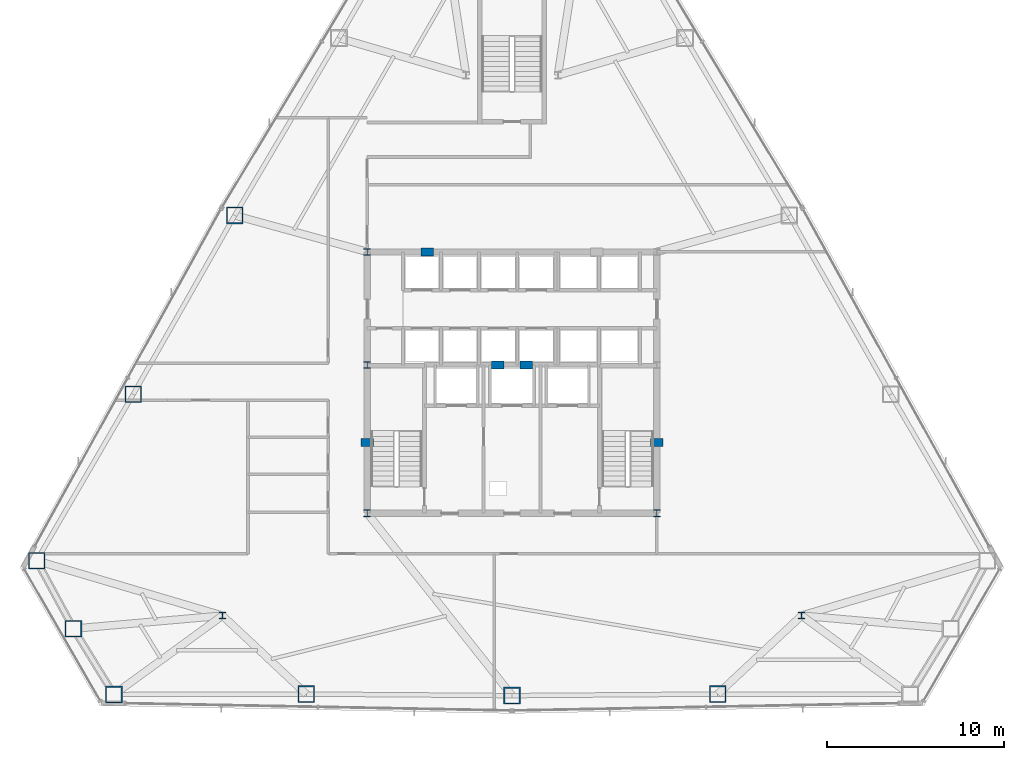
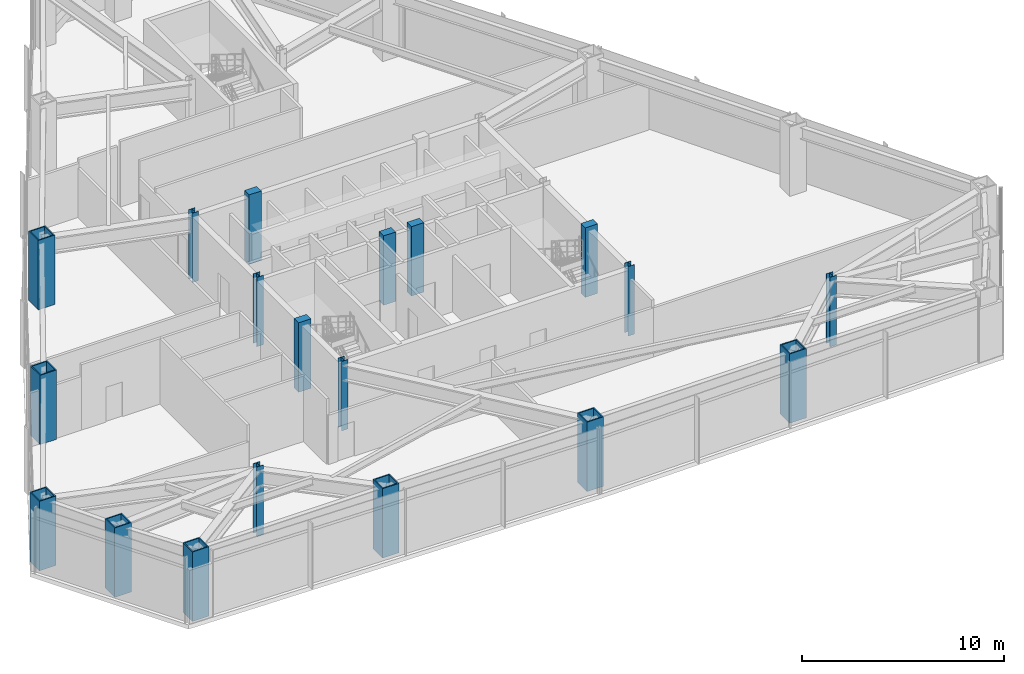
# One storey, part 1 of 13: 19 columns.
"""IFC4 building model written with IfcOpenShell, lengths in metres."""

from ifc_helpers import new_model, si_unit, direction, frame, origin, origin_2d, place, context, subcontext, project, spatial, rectangle, hollow_rectangle, i_section, extrude, material, material_profile, profile_set, type_object, element, save


model = new_model("IFC4")

# Units and contexts
model_context = context("Model", 3, precision=1e-05, world=origin(), true_north=direction((0.0, 1.0)))
body_context = subcontext(model_context, "Body", "Model", "MODEL_VIEW")
ifc_project = project(units=[si_unit("LENGTHUNIT", "METRE"), si_unit("AREAUNIT", "SQUARE_METRE"), si_unit("VOLUMEUNIT", "CUBIC_METRE"), si_unit("PLANEANGLEUNIT", "RADIAN"), si_unit("MASSUNIT", "GRAM", prefix="KILO")], contexts=[model_context])

# Site, building, storey
site_placement = place(None, origin())
site = spatial("IfcSite", under=ifc_project, at=site_placement, CompositionType="ELEMENT")
building_placement = place(site_placement, origin())
building = spatial("IfcBuilding", under=site, at=building_placement, Name="Varakhsha Concourse Tower", CompositionType="ELEMENT")
storey_placement = place(building_placement, frame((0.0, 0.0, 111.800048828125)))
storey = spatial("IfcBuildingStorey", under=building, at=storey_placement, Name="L32", CompositionType="ELEMENT", Elevation=111.800048828125)

# Columns
ifc_material_1 = material(Name="Structural Steel ASTM A992 Grade 50", Category="steel")
ifc_material_profile_1 = material_profile(ifc_material_1, i_section(OverallWidth=0.3740234375, OverallDepth=0.3720703125, WebThickness=0.01611328125, FlangeThickness=0.02587890625, at=origin_2d()), Name="W14X132")
ifc_profile_set_1 = profile_set([ifc_material_profile_1], Name="Structural Steel ASTM A992 Grade 50")
column_type_1 = type_object("IfcColumnType", Name="CL-CORE-W14X132", PredefinedType="COLUMN", material=ifc_profile_set_1)
for number, where, z_axis, x_axis, name in (
    (1, (31.800048828125, 16.39990234375, 0.0), (0.0, 0.0, 1.0), (1.0, 0.0, 0.0), "L32 Core Column CC-SW"),
    (2, (48.199951171875, 16.39990234375, 0.0), (0.0, 0.0, 1.0), (1.0, 0.0, 0.0), "L32 Core Column CC-SE"),
    (3, (31.800048828125, 24.800048828125, 0.0), (0.0, 0.0, 1.0), (1.0, 0.0, 0.0), "L32 Core Column CC-MW"),
    (4, (31.800048828125, 31.199951171875, 0.0), (0.0, 0.0, 1.0), (1.0, 0.0, 0.0), "L32 Core Column CC-NW"),
    (5, (23.60009765625, 10.60009765625, 0.0), (0.0, 0.0, 1.0), (1.0, 0.0, 0.0), "L32 Core Column SS-W"),
    (6, (56.39990234375, 10.60009765625, 0.0), (0.0, 0.0, 1.0), (1.0, 0.0, 0.0), "L32 Core Column SS-E"),
):
    element("IfcColumn", number, at=place(storey_placement, frame(where, z_axis=z_axis, x_axis=x_axis)), inside=storey, type_object=column_type_1, Name=name, PredefinedType="COLUMN", context=body_context, shape_type="SweptSolid", body=[
        extrude(i_section(OverallWidth=0.3740234375, OverallDepth=0.3720703125, WebThickness=0.01611328125, FlangeThickness=0.02587890625, at=origin_2d()), origin(), (0.0, 0.0, 1.0), 4.199951171875),
    ])
ifc_material_2 = material(Name="Concrete fc 65 MPa", Category="concrete")
ifc_material_profile_2 = material_profile(ifc_material_2, rectangle(XDim=0.699951171875, YDim=0.449951171875, at=origin_2d()), Name="RC 700x450")
ifc_profile_set_2 = profile_set([ifc_material_profile_2], Name="Concrete fc 65 MPa")
column_type_2 = type_object("IfcColumnType", Name="CL-PIL-700X450", PredefinedType="PILASTER", material=ifc_profile_set_2)
for number, where, z_axis, x_axis, name in (
    (7, (31.800048828125, 20.39990234375, 0.0), (0.0, 0.0, 1.0), (1.0, 0.0, 0.0), "L32 Core Boundary Pilaster PIL-W1"),
    (8, (48.199951171875, 20.39990234375, 0.0), (0.0, 0.0, 1.0), (1.0, 0.0, 0.0), "L32 Core Boundary Pilaster PIL-E1"),
    (9, (35.199951171875, 31.199951171875, 0.0), (0.0, 0.0, 1.0), (1.0, 0.0, 0.0), "L32 Core Boundary Pilaster PIL-N1"),
    (10, (39.199951171875, 24.800048828125, 0.0), (0.0, 0.0, 1.0), (1.0, 0.0, 0.0), "L32 Core Boundary Pilaster PIL-M1"),
    (11, (40.800048828125, 24.800048828125, 0.0), (0.0, 0.0, 1.0), (1.0, 0.0, 0.0), "L32 Core Boundary Pilaster PIL-M2"),
):
    element("IfcColumn", number, at=place(storey_placement, frame(where, z_axis=z_axis, x_axis=x_axis)), inside=storey, type_object=column_type_2, Name=name, PredefinedType="PILASTER", context=body_context, shape_type="SweptSolid", body=[
        extrude(rectangle(XDim=0.699951171875, YDim=0.449951171875, at=origin_2d()), origin(), (0.0, 0.0, 1.0), 4.199951171875),
    ])
ifc_material_3 = material(Name="Structural Steel ASTM A572 Grade 50", Category="steel")
ifc_material_profile_3 = material_profile(ifc_material_3, hollow_rectangle(XDim=0.949951171875, YDim=0.949951171875, WallThickness=0.06494140625, at=origin_2d()), Name="BOX 950x950x65")
ifc_profile_set_3 = profile_set([ifc_material_profile_3], Name="Structural Steel ASTM A572 Grade 50")
column_type_3 = type_object("IfcColumnType", Name="CL-TUBE-950", PredefinedType="COLUMN", material=ifc_profile_set_3)
for number, where, z_axis, x_axis, name in (
    (12, (24.299560546875, 33.2646484375, 0.0), (0.0, 0.0, 1.0), (1.0, 0.0, 0.0), "L32 Framed-Tube Column TC05"),
    (13, (18.551513671875, 23.131591796875, 0.0), (0.0, 0.0, 1.0), (1.0, 0.0, 0.0), "L32 Framed-Tube Column TC06"),
    (14, (13.08203125, 13.711181640625, 0.0), (0.0, 0.0, 1.0), (1.0, 0.0, 0.0), "L32 Framed-Tube Column TC07"),
    (15, (15.16552734375, 9.86181640625, 0.0), (0.0, 0.0, 1.0), (1.0, 0.0, 0.0), "L32 Framed-Tube Column TC08"),
    (16, (17.45751953125, 6.1328125, 0.0), (0.0, 0.0, 1.0), (1.0, 0.0, 0.0), "L32 Framed-Tube Column TC09"),
    (17, (28.3505859375, 6.1591796875, 0.0), (0.0, 0.0, 1.0), (1.0, 0.0, 0.0), "L32 Framed-Tube Column TC10"),
    (18, (40.0, 6.07080078125, 0.0), (0.0, 0.0, 1.0), (1.0, 0.0, 0.0), "L32 Framed-Tube Column TC11"),
    (19, (51.6494140625, 6.1591796875, 0.0), (0.0, 0.0, 1.0), (1.0, 0.0, 0.0), "L32 Framed-Tube Column TC12"),
):
    element("IfcColumn", number, at=place(storey_placement, frame(where, z_axis=z_axis, x_axis=x_axis)), inside=storey, type_object=column_type_3, Name=name, PredefinedType="COLUMN", context=body_context, shape_type="SweptSolid", body=[
        extrude(hollow_rectangle(XDim=0.949951171875, YDim=0.949951171875, WallThickness=0.06494140625, at=origin_2d()), origin(), (0.0, 0.0, 1.0), 4.199951171875),
    ])

save(model, "model.ifc")
